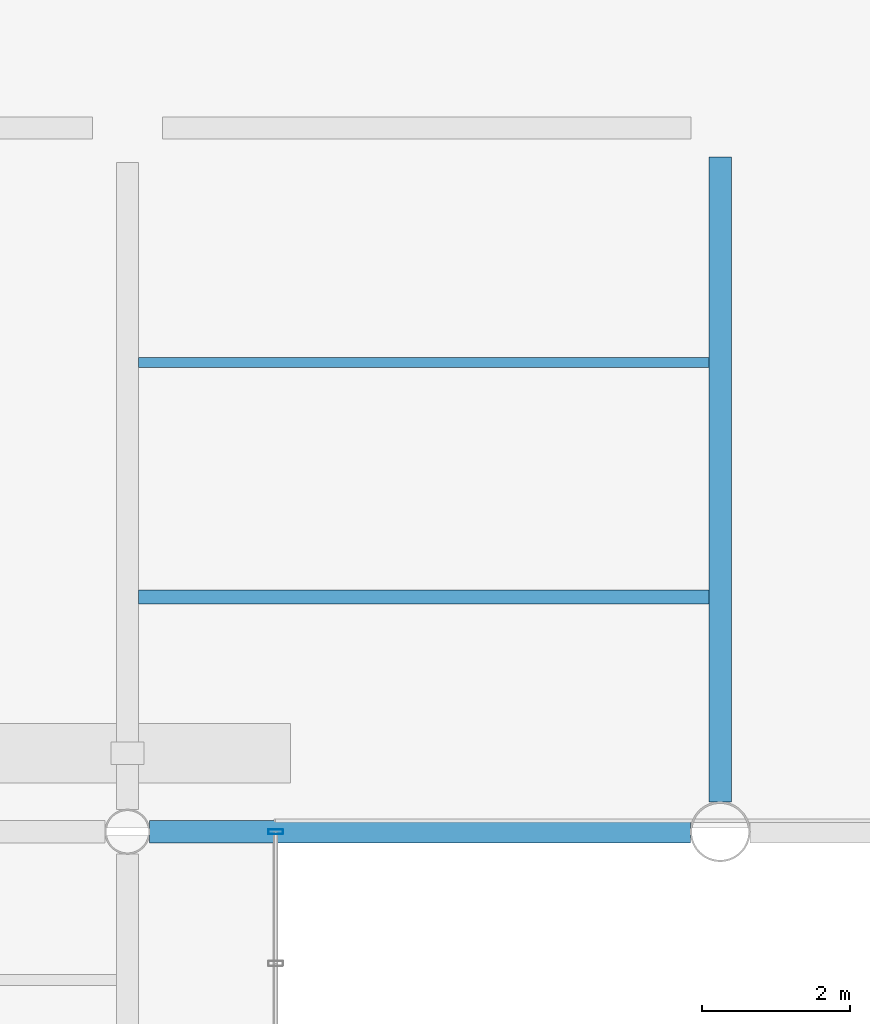
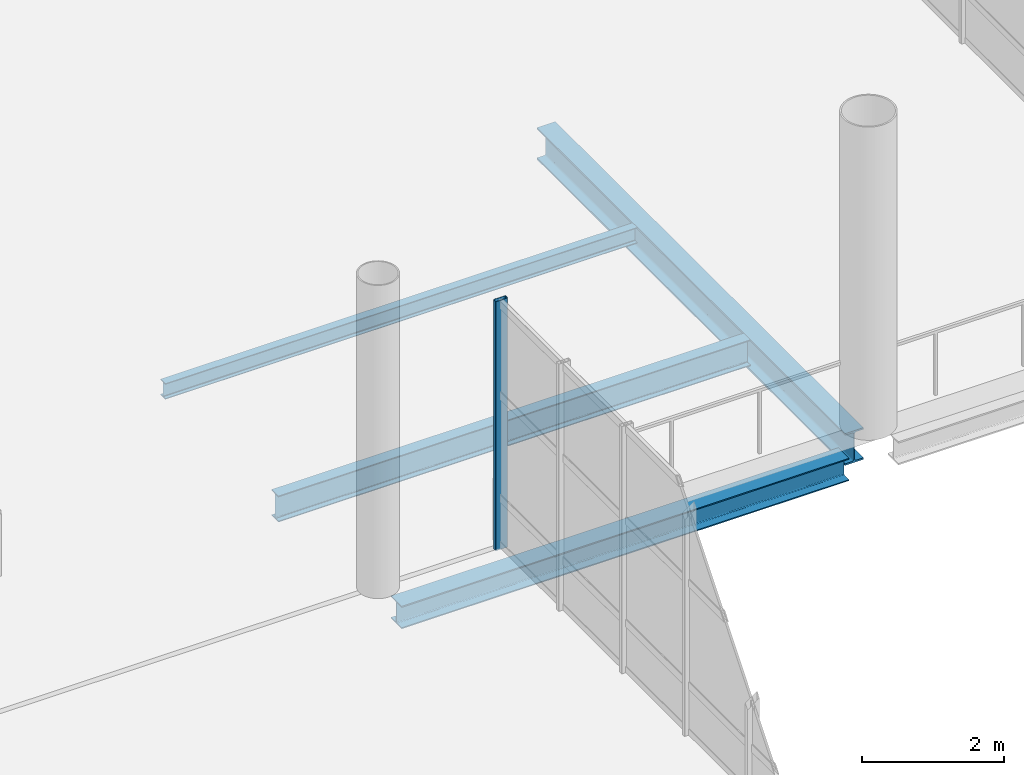
# One storey, part 56 of 176: 4 beams, 1 member, 1 element without a shape of its own.
"""IFC4 building model written with IfcOpenShell, lengths in metres."""

import ifcopenshell
import ifcopenshell.guid

model = None  # the IFC model being written
_history = None  # IfcOwnerHistory: only IFC2X3 demands one
_inside = {}  # id of a spatial element -> (the spatial element, [elements in it])
_under = {}  # id of a project, library or spatial element -> (it, [spatial elements below it])
_declared = {}  # id of a project -> (the project, [libraries it declares])
_typed = {}  # id of a type object -> (the type object, [elements of that type])
_made_of = {}  # id of a material, layer set ... -> (it, [elements and type objects made of it])


def new_model(schema):
    """Start an empty IFC model of exactly this schema.

    Asked for "IFC4X3", IfcOpenShell would pick the latest addendum, in which some entities
    have other attributes; the version numbers below select the first issue.
    IFC2X3 requires an IfcOwnerHistory on every rooted entity: one is made here for all.
    """
    global model, _history
    if schema == "IFC4X3":
        model = ifcopenshell.file(schema_version=(4, 3, 0, 0))
    else:
        model = ifcopenshell.file(schema=schema)
    _inside.clear()
    _under.clear()
    _declared.clear()
    _typed.clear()
    _made_of.clear()
    _history = None
    if model.schema == "IFC2X3":
        org = make("IfcOrganization", Name="unknown")
        user = make(
            "IfcPersonAndOrganization",
            ThePerson=make("IfcPerson", FamilyName="unknown"),
            TheOrganization=org,
        )
        app = make(
            "IfcApplication",
            ApplicationDeveloper=org,
            Version="unknown",
            ApplicationFullName="unknown",
            ApplicationIdentifier="unknown",
        )
        _history = make(
            "IfcOwnerHistory",
            OwningUser=user,
            OwningApplication=app,
            ChangeAction="ADDED",
            CreationDate=0,
        )
    return model


def make(cls, **values):
    """One entity of the class cls with the attributes given. An attribute that is None is left unset."""
    return model.create_entity(
        cls, **{name: value for name, value in values.items() if value is not None}
    )


def rooted(cls, **values):
    """An entity with a GlobalId (a new one), such as an element, a storey or a relation."""
    return make(cls, GlobalId=ifcopenshell.guid.new(), OwnerHistory=_history, **values)


def si_unit(unit_type, name, prefix=None):
    """IfcSIUnit, for example si_unit("LENGTHUNIT", "METRE", prefix="MILLI")."""
    return make("IfcSIUnit", UnitType=unit_type, Prefix=prefix, Name=name)


def assignment(units):
    """IfcUnitAssignment: the units of a project."""
    return None if units is None else make("IfcUnitAssignment", Units=units)


def point(xyz):
    """IfcCartesianPoint."""
    return None if xyz is None else make("IfcCartesianPoint", Coordinates=xyz)


def direction(xyz):
    """IfcDirection."""
    return None if xyz is None else make("IfcDirection", DirectionRatios=xyz)


def frame(location, z_axis=None, x_axis=None):
    """IfcAxis2Placement3D, a coordinate frame: its origin and axes. An axis left out is left unset."""
    return make(
        "IfcAxis2Placement3D",
        Location=point(location),
        Axis=direction(z_axis),
        RefDirection=direction(x_axis),
    )


def frame_2d(location, x_axis=None):
    """IfcAxis2Placement2D, a coordinate frame in the plane: its origin and x axis."""
    return make(
        "IfcAxis2Placement2D", Location=point(location), RefDirection=direction(x_axis)
    )


def origin():
    """The frame at (0, 0, 0) with its axes left unset."""
    return frame((0.0, 0.0, 0.0))


def origin_2d():
    """The frame at (0, 0) in the plane with its x axis left unset."""
    return frame_2d((0.0, 0.0))


def place(relative_to, where):
    """IfcLocalPlacement: puts the frame where relative to a parent placement (None: the world)."""
    return make(
        "IfcLocalPlacement", PlacementRelTo=relative_to, RelativePlacement=where
    )


def context(
    kind, dimensions, precision=None, world=None, true_north=None, identifier=None
):
    """IfcGeometricRepresentationContext, for example the 3D "Model" context."""
    return make(
        "IfcGeometricRepresentationContext",
        ContextIdentifier=identifier,
        ContextType=kind,
        CoordinateSpaceDimension=dimensions,
        Precision=precision,
        WorldCoordinateSystem=world,
        TrueNorth=true_north,
    )


def subcontext(parent, identifier, kind, view, scale=None):
    """IfcGeometricRepresentationSubContext, for example "Body" below "Model"."""
    return make(
        "IfcGeometricRepresentationSubContext",
        ContextIdentifier=identifier,
        ContextType=kind,
        ParentContext=parent,
        TargetScale=scale,
        TargetView=view,
    )


def project(units=None, contexts=None):
    """IfcProject with its units and contexts."""
    return rooted(
        "IfcProject",
        Name="project",
        RepresentationContexts=contexts,
        UnitsInContext=assignment(units),
    )


def spatial(cls, under=None, at=None, **own):
    """A site, building, storey or space (cls), placed at a placement, below another one or the project."""
    s = rooted(cls, ObjectPlacement=at, **own)
    if under is not None:
        _under.setdefault(under.id(), (under, []))[1].append(s)
    return s


def profile(cls, at=None, kind="AREA", **sizes):
    """A parametric profile (cls). Its sizes go by their IFC names, for example OverallWidth=200.0."""
    return make(cls, ProfileType=kind, Position=at, **sizes)


def hollow_rectangle(**sizes):
    """IfcRectangleHollowProfileDef."""
    return profile("IfcRectangleHollowProfileDef", **sizes)


def i_section(**sizes):
    """IfcIShapeProfileDef."""
    return profile("IfcIShapeProfileDef", **sizes)


def extrude(swept, where, along, depth):
    """IfcExtrudedAreaSolid: the profile swept, set in the frame where, extruded along a direction by depth."""
    return make(
        "IfcExtrudedAreaSolid",
        SweptArea=swept,
        Position=where,
        ExtrudedDirection=direction(along),
        Depth=depth,
    )


def shape(context_of_items, identifier, shape_type, items):
    """IfcShapeRepresentation: the items that make up one representation, for example the "Body"."""
    return make(
        "IfcShapeRepresentation",
        ContextOfItems=context_of_items,
        RepresentationIdentifier=identifier,
        RepresentationType=shape_type,
        Items=items,
    )


def material(Name=None, Category=None):
    """IfcMaterial."""
    return make("IfcMaterial", Name=Name, Category=Category)


def layer(
    of_material, thickness, ventilated=None, Name=None, Category=None, Priority=None
):
    """IfcMaterialLayer: one layer of a wall or slab, of a material (None: an air gap)."""
    return make(
        "IfcMaterialLayer",
        Material=of_material,
        LayerThickness=thickness,
        IsVentilated=ventilated,
        Name=Name,
        Category=Category,
        Priority=Priority,
    )


def layer_set(layers, Name=None):
    """IfcMaterialLayerSet."""
    return make("IfcMaterialLayerSet", MaterialLayers=layers, LayerSetName=Name)


def material_profile(
    of_material, cross_section, Name=None, Category=None, Priority=None
):
    """IfcMaterialProfile: a cross section and its material."""
    return make(
        "IfcMaterialProfile",
        Name=Name,
        Material=of_material,
        Profile=cross_section,
        Priority=Priority,
        Category=Category,
    )


def profile_set(profiles, Name=None, composite=None):
    """IfcMaterialProfileSet."""
    return make(
        "IfcMaterialProfileSet",
        Name=Name,
        MaterialProfiles=profiles,
        CompositeProfile=composite,
    )


def made_of(thing, what):
    """Note that an element or type object is made of a material, layer set ...; save() writes the relation."""
    if what is not None:
        _made_of.setdefault(what.id(), (what, []))[1].append(thing)
    return thing


def type_object(cls, material=None, **own):
    """A type object (cls), such as IfcWallType, which elements share."""
    return made_of(rooted(cls, **own), material)


def element(
    cls,
    number,
    at=None,
    inside=None,
    cuts=None,
    type_object=None,
    material=None,
    context=None,
    identifier="Body",
    shape_type=None,
    held_by="IfcProductDefinitionShape",
    body=None,
    shapes=None,
    **own,
):
    """One element of the class cls, such as IfcWall. Its Tag is "e" and its number.

    at: its placement. inside: the storey or other place that contains it. cuts: it is an
    opening in that element (IfcRelVoidsElement). A single representation is given by context,
    identifier, shape_type and body (its items); several are given by shapes. held_by: the class
    of the entity that holds the representations. save() writes the other relations.
    """
    e = rooted(cls, Tag="e%d" % number, ObjectPlacement=at, **own)
    if body is not None:
        shapes = [shape(context, identifier, shape_type, body)]
    if shapes is not None:
        e.Representation = make(held_by, Representations=shapes)
    if inside is not None:
        _inside.setdefault(inside.id(), (inside, []))[1].append(e)
    if cuts is not None:
        rooted(
            "IfcRelVoidsElement", RelatingBuildingElement=cuts, RelatedOpeningElement=e
        )
    if type_object is not None:
        _typed.setdefault(type_object.id(), (type_object, []))[1].append(e)
    return made_of(e, material)


def aggregate(whole, parts):
    """IfcRelAggregates: a whole, such as a stair, and the parts it consists of."""
    return rooted("IfcRelAggregates", RelatingObject=whole, RelatedObjects=parts)


def save(model, path):
    """Write the relations noted so far, then the file.

    IfcRelAggregates (storeys below a building ...), IfcRelContainedInSpatialStructure (elements
    in a storey), IfcRelDefinesByType, IfcRelAssociatesMaterial and IfcRelDeclares: one each for
    every whole, place, type object, material and project.
    """
    for whole, parts in _under.values():
        aggregate(whole, parts)
    for where, things in _inside.values():
        rooted(
            "IfcRelContainedInSpatialStructure",
            RelatedElements=things,
            RelatingStructure=where,
        )
    for kind, things in _typed.values():
        rooted("IfcRelDefinesByType", RelatedObjects=things, RelatingType=kind)
    for what, things in _made_of.values():
        rooted("IfcRelAssociatesMaterial", RelatedObjects=things, RelatingMaterial=what)
    for by, libraries in _declared.values():
        rooted("IfcRelDeclares", RelatingContext=by, RelatedDefinitions=libraries)
    model.write(path)


model = new_model("IFC4")

# Units and contexts
model_context = context("Model", 3, precision=1e-05, world=origin(), true_north=direction((0.0, 1.0)))
body_context = subcontext(model_context, "Body", "Model", "MODEL_VIEW")
ifc_project = project(units=[si_unit("LENGTHUNIT", "METRE"), si_unit("AREAUNIT", "SQUARE_METRE"), si_unit("VOLUMEUNIT", "CUBIC_METRE"), si_unit("PLANEANGLEUNIT", "RADIAN"), si_unit("MASSUNIT", "GRAM", prefix="KILO")], contexts=[model_context])

# Site, building, storey
site_placement = place(None, origin())
site = spatial("IfcSite", under=ifc_project, at=site_placement, CompositionType="ELEMENT")
building_placement = place(site_placement, origin())
building = spatial("IfcBuilding", under=site, at=building_placement, Name="Khorjan Park Terminus", CompositionType="ELEMENT")
storey_placement = place(building_placement, frame((0.0, 0.0, 6.0)))
storey = spatial("IfcBuildingStorey", under=building, at=storey_placement, Name="L01", CompositionType="ELEMENT", Elevation=6.0)

# Beams
ifc_material_1 = material(Name="Steel S355", Category="steel")
ifc_material_profile_1 = material_profile(ifc_material_1, i_section(OverallWidth=0.3, OverallDepth=0.39, WebThickness=0.011, FlangeThickness=0.019, FilletRadius=0.027, at=origin_2d()), Name="HEA 400")
ifc_profile_set_1 = profile_set([ifc_material_profile_1], Name="Steel S355")
beam_type_1 = type_object("IfcBeamType", Name="BM-HEA400", PredefinedType="BEAM", material=ifc_profile_set_1)
beam_1_placement = place(storey_placement, frame((72.3, 102.0, -0.555), z_axis=(1.0, 0.0, 0.0), x_axis=(0.0, 1.0, 0.0)))
element("IfcBeam", 1, at=beam_1_placement, inside=storey, type_object=beam_type_1, Name="Primary floor girder SB-A40 (L01)", PredefinedType="BEAM", context=body_context, shape_type="SweptSolid", body=[
    extrude(i_section(OverallWidth=0.3, OverallDepth=0.39, WebThickness=0.011, FlangeThickness=0.019, FilletRadius=0.027, at=origin_2d()), origin(), (0.0, 0.0, 1.0), 7.2985),
])
ifc_material_profile_2 = material_profile(ifc_material_1, i_section(OverallWidth=0.3, OverallDepth=0.55, WebThickness=0.015, FlangeThickness=0.029, FilletRadius=0.027, at=origin_2d()), Name="HEB 550")
ifc_profile_set_2 = profile_set([ifc_material_profile_2], Name="Steel S355")
beam_type_2 = type_object("IfcBeamType", Name="BM-HEB550", PredefinedType="BEAM", material=ifc_profile_set_2)
beam_2_placement = place(storey_placement, frame((80.0, 102.4015, -0.635), z_axis=(0.0, 1.0, 0.0), x_axis=(-1.0, 0.0, 0.0)))
element("IfcBeam", 2, at=beam_2_placement, inside=storey, type_object=beam_type_2, Name="Primary floor girder SB-B55 (L01)", PredefinedType="BEAM", context=body_context, shape_type="SweptSolid", body=[
    extrude(i_section(OverallWidth=0.3, OverallDepth=0.55, WebThickness=0.015, FlangeThickness=0.029, FilletRadius=0.027, at=origin_2d()), origin(), (0.0, 0.0, 1.0), 8.7035),
])
ifc_material_profile_3 = material_profile(ifc_material_1, i_section(OverallWidth=0.135, OverallDepth=0.27, WebThickness=0.0066, FlangeThickness=0.0102, FilletRadius=0.015, at=origin_2d()), Name="IPE 270")
ifc_profile_set_3 = profile_set([ifc_material_profile_3], Name="Steel S355")
beam_type_3 = type_object("IfcBeamType", Name="JS-IPE270", PredefinedType="JOIST", material=ifc_profile_set_3)
beam_3_placement = place(storey_placement, frame((72.15, 108.3333, -0.495), z_axis=(1.0, 0.0, 0.0), x_axis=(0.0, 1.0, 0.0)))
element("IfcBeam", 3, at=beam_3_placement, inside=storey, type_object=beam_type_3, Name="Secondary composite floor joist SJ-27 (L01)", PredefinedType="JOIST", context=body_context, shape_type="SweptSolid", body=[
    extrude(i_section(OverallWidth=0.135, OverallDepth=0.27, WebThickness=0.0066, FlangeThickness=0.0102, FilletRadius=0.015, at=origin_2d()), origin(), (0.0, 0.0, 1.0), 7.7),
])
ifc_material_profile_4 = material_profile(ifc_material_1, i_section(OverallWidth=0.19, OverallDepth=0.45, WebThickness=0.0094, FlangeThickness=0.0146, FilletRadius=0.021, at=origin_2d()), Name="IPE 450")
ifc_profile_set_4 = profile_set([ifc_material_profile_4], Name="Steel S355")
beam_type_4 = type_object("IfcBeamType", Name="JS-IPE450", PredefinedType="JOIST", material=ifc_profile_set_4)
beam_4_placement = place(storey_placement, frame((72.15, 105.1667, -0.585), z_axis=(1.0, 0.0, 0.0), x_axis=(0.0, 1.0, 0.0)))
element("IfcBeam", 4, at=beam_4_placement, inside=storey, type_object=beam_type_4, Name="Secondary composite floor joist SJ-45 (L01)", PredefinedType="JOIST", context=body_context, shape_type="SweptSolid", body=[
    extrude(i_section(OverallWidth=0.19, OverallDepth=0.45, WebThickness=0.0094, FlangeThickness=0.0146, FilletRadius=0.021, at=origin_2d()), origin(), (0.0, 0.0, 1.0), 7.7),
])

# Curtain wall, member
ifc_material_2 = material(Name="Anodized Bronze Aluminium", Category="aluminium")
ifc_layer = layer(ifc_material_2, 0.22)
ifc_layer_set = layer_set([ifc_layer], Name="Anodized Bronze Aluminium")
curtain_wall_type = type_object("IfcCurtainWallType", Name="CW-BRG-D", PredefinedType="NOTDEFINED", material=ifc_layer_set)
curtain_wall_placement = place(storey_placement, origin())
curtain_wall = element("IfcCurtainWall", 5, at=curtain_wall_placement, inside=storey, type_object=curtain_wall_type, Name="Unitized curtain wall CW-D (CW-NKW-E-L01)", PredefinedType="NOTDEFINED")
ifc_material_profile_5 = material_profile(ifc_material_2, hollow_rectangle(XDim=0.07, YDim=0.2, WallThickness=0.005, InnerFilletRadius=0.005, OuterFilletRadius=0.01, at=origin_2d()), Name="ALM 70x200x5")
ifc_profile_set_5 = profile_set([ifc_material_profile_5], Name="Anodized Bronze Aluminium")
member_type = type_object("IfcMemberType", Name="ML-ALM-200", PredefinedType="MULLION", material=ifc_profile_set_5)
member_placement = place(storey_placement, frame((74.0, 102.0, -0.035), z_axis=(0.0, 0.0, 1.0), x_axis=(0.0, 1.0, 0.0)))
member = element("IfcMember", 6, at=member_placement, type_object=member_type, Name="Curtain-wall mullion ML-20 (CW-NKW-E-L01-9)", PredefinedType="MULLION", context=body_context, shape_type="SweptSolid", body=[
    extrude(hollow_rectangle(XDim=0.07, YDim=0.2, WallThickness=0.005, InnerFilletRadius=0.005, OuterFilletRadius=0.01, at=origin_2d()), origin(), (0.0, 0.0, 1.0), 4.295),
])
aggregate(curtain_wall, [member])

save(model, "model.ifc")
